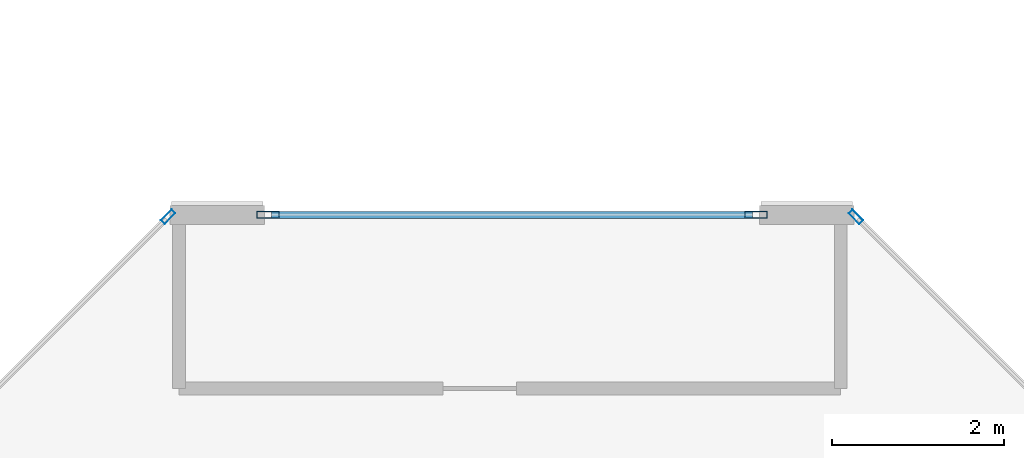
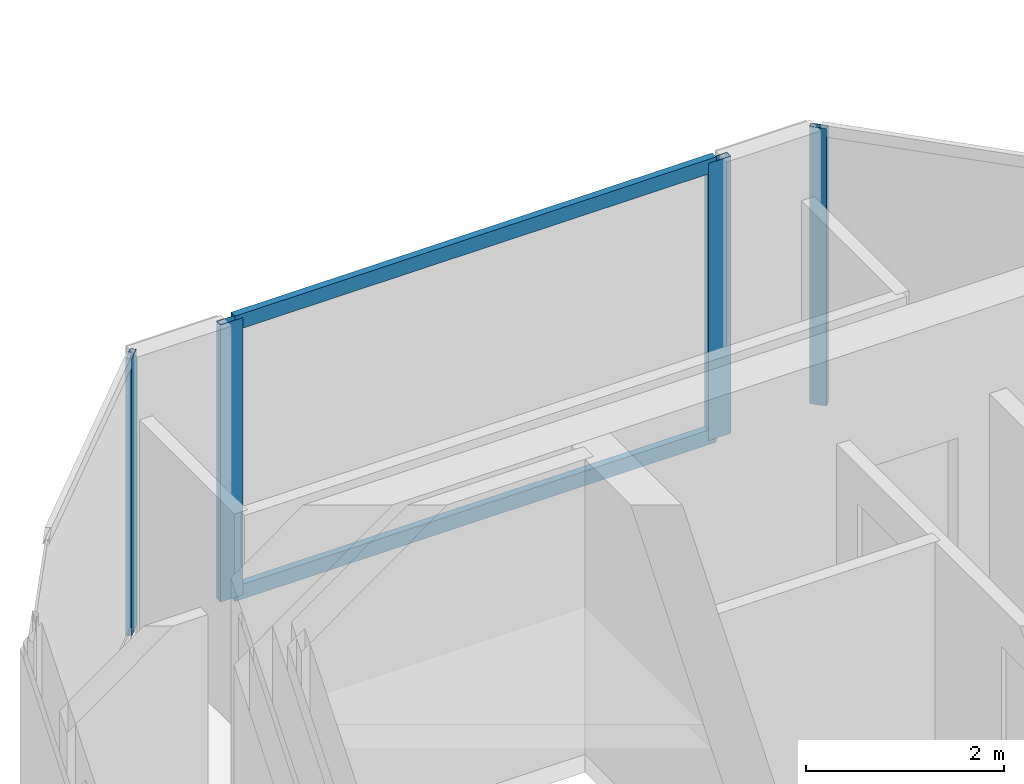
# One storey, part 12 of 28: 6 members, 3 elements without a shape of their own.
"""IFC4 building model written with IfcOpenShell, lengths in metres."""

from ifc_helpers import new_model, si_unit, direction, frame, origin, origin_2d, place, context, subcontext, project, spatial, hollow_rectangle, extrude, material, layer, layer_set, material_profile, profile_set, type_object, element, aggregate, save


model = new_model("IFC4")

# Units and contexts
model_context = context("Model", 3, precision=1e-05, world=origin(), true_north=direction((0.0, 1.0)))
body_context = subcontext(model_context, "Body", "Model", "MODEL_VIEW")
ifc_project = project(units=[si_unit("LENGTHUNIT", "METRE"), si_unit("AREAUNIT", "SQUARE_METRE"), si_unit("VOLUMEUNIT", "CUBIC_METRE"), si_unit("PLANEANGLEUNIT", "RADIAN"), si_unit("MASSUNIT", "GRAM", prefix="KILO")], contexts=[model_context])

# Site, building, storey
site_placement = place(None, origin())
site = spatial("IfcSite", under=ifc_project, at=site_placement, CompositionType="ELEMENT")
building_placement = place(site_placement, origin())
building = spatial("IfcBuilding", under=site, at=building_placement, Name="Tanjung Sevakor Pilgrim Tower", CompositionType="ELEMENT")
storey_placement = place(building_placement, frame((0.0, 0.0, 246.179931640625)))
storey = spatial("IfcBuildingStorey", under=building, at=storey_placement, Name="L69", CompositionType="ELEMENT", Elevation=246.179931640625)

# Curtain wall, member
ifc_material_1 = material(Name="Aluminium 6063-T6 and Low-E Glass", Category="aluminium")
ifc_layer_1 = layer(ifc_material_1, 0.179931640625)
ifc_layer_set_1 = layer_set([ifc_layer_1], Name="CW-SYS-CHAM")
curtain_wall_type_1 = type_object("IfcCurtainWallType", Name="CW-SYS-CHAM", PredefinedType="NOTDEFINED", material=ifc_layer_set_1)
curtain_wall_1_placement = place(storey_placement, origin())
curtain_wall_1 = element("IfcCurtainWall", 1, at=curtain_wall_1_placement, inside=storey, type_object=curtain_wall_type_1, Name="L69 Curtain Wall CW-CHM-L69-WEST-3", PredefinedType="NOTDEFINED")
ifc_material_2 = material(Name="Aluminium 6063-T6", Category="aluminium")
ifc_material_profile_1 = material_profile(ifc_material_2, hollow_rectangle(XDim=0.06494140625, YDim=0.179931640625, WallThickness=0.00390625, at=origin_2d()))
ifc_profile_set_1 = profile_set([ifc_material_profile_1], Name="Aluminium 6063-T6")
member_type_1 = type_object("IfcMemberType", Name="TYPE-CWM-1", PredefinedType="MULLION", material=ifc_profile_set_1)
member_1_placement = place(storey_placement, frame((32.827392578125, 46.26708984375, 0.0), z_axis=(0.0, 0.0, 1.0), x_axis=(-0.707106781187, -0.707106781187, 0.0)))
member_1 = element("IfcMember", 2, at=member_1_placement, type_object=member_type_1, Name="CW-CHM mullion 2", PredefinedType="MULLION", context=body_context, shape_type="SweptSolid", body=[
    extrude(hollow_rectangle(XDim=0.06494140625, YDim=0.179931640625, WallThickness=0.00390625, at=origin_2d()), origin(), (0.0, 0.0, 1.0), 3.41015625),
])
aggregate(curtain_wall_1, [member_1])

curtain_wall_2_placement = place(storey_placement, origin())
curtain_wall_2 = element("IfcCurtainWall", 3, at=curtain_wall_2_placement, inside=storey, type_object=curtain_wall_type_1, Name="L69 Curtain Wall CW-CHM-L69-WEST-5", PredefinedType="NOTDEFINED")
member_2_placement = place(storey_placement, frame((24.822509765625, 46.26708984375, 0.0), z_axis=(0.0, 0.0, 1.0), x_axis=(0.707106781187, -0.707106781187, 0.0)))
member_2 = element("IfcMember", 4, at=member_2_placement, type_object=member_type_1, Name="CW-CHM mullion 1", PredefinedType="MULLION", context=body_context, shape_type="SweptSolid", body=[
    extrude(hollow_rectangle(XDim=0.06494140625, YDim=0.179931640625, WallThickness=0.00390625, at=origin_2d()), origin(), (0.0, 0.0, 1.0), 3.41015625),
])
aggregate(curtain_wall_2, [member_2])

# Curtain wall, members
ifc_material_3 = material(Name="Aluminium 6063-T6 and Low-E Glass", Category="aluminium")
ifc_layer_2 = layer(ifc_material_3, 0.199951171875)
ifc_layer_set_2 = layer_set([ifc_layer_2], Name="CW-SYS-CRNW")
curtain_wall_type_2 = type_object("IfcCurtainWallType", Name="CW-SYS-CRNW", PredefinedType="NOTDEFINED", material=ifc_layer_set_2)
curtain_wall_3_placement = place(storey_placement, origin())
curtain_wall_3 = element("IfcCurtainWall", 5, at=curtain_wall_3_placement, inside=storey, type_object=curtain_wall_type_2, Name="L69 Curtain Wall CW-CRN-L69-WEST-4-1", PredefinedType="NOTDEFINED")
ifc_material_4 = material(Name="Aluminium 6063-T6", Category="aluminium")
ifc_material_profile_2 = material_profile(ifc_material_4, hollow_rectangle(XDim=0.080078125, YDim=0.260009765625, WallThickness=0.0048828125, at=origin_2d()))
ifc_profile_set_2 = profile_set([ifc_material_profile_2], Name="Aluminium 6063-T6")
member_type_2 = type_object("IfcMemberType", Name="TYPE-CWM-3", PredefinedType="MULLION", material=ifc_profile_set_2)
member_3_placement = place(storey_placement, frame((31.664306640625, 46.2900390625, 0.0), z_axis=(0.0, 0.0, 1.0), x_axis=(0.0, -1.0, 0.0)))
member_3 = element("IfcMember", 6, at=member_3_placement, type_object=member_type_2, Name="CW-CRW mullion 1", PredefinedType="MULLION", context=body_context, shape_type="SweptSolid", body=[
    extrude(hollow_rectangle(XDim=0.080078125, YDim=0.260009765625, WallThickness=0.0048828125, at=origin_2d()), origin(), (0.0, 0.0, 1.0), 3.41015625),
])
member_4_placement = place(storey_placement, frame((25.985595703125, 46.2900390625, 0.0), z_axis=(0.0, 0.0, 1.0), x_axis=(0.0, -1.0, 0.0)))
member_4 = element("IfcMember", 7, at=member_4_placement, type_object=member_type_2, Name="CW-CRW mullion 2", PredefinedType="MULLION", context=body_context, shape_type="SweptSolid", body=[
    extrude(hollow_rectangle(XDim=0.080078125, YDim=0.260009765625, WallThickness=0.0048828125, at=origin_2d()), origin(), (0.0, 0.0, 1.0), 3.41015625),
])
ifc_material_5 = material(Name="Aluminium 6063-T6", Category="aluminium")
ifc_material_profile_3 = material_profile(ifc_material_5, hollow_rectangle(XDim=0.080078125, YDim=0.179931640625, WallThickness=0.0048828125, at=origin_2d()))
ifc_profile_set_3 = profile_set([ifc_material_profile_3], Name="Aluminium 6063-T6")
member_type_3 = type_object("IfcMemberType", Name="TYPE-CWT-3", PredefinedType="USERDEFINED", material=ifc_profile_set_3)
member_5_placement = place(storey_placement, frame((31.62451171875, 46.2900390625, 0.0400390625), z_axis=(-1.0, 0.0, 0.0), x_axis=(0.0, -1.0, 0.0)))
member_5 = element("IfcMember", 8, at=member_5_placement, type_object=member_type_3, Name="CW-CRW transom 1.1", ObjectType="TRANSOM", PredefinedType="USERDEFINED", context=body_context, shape_type="SweptSolid", body=[
    extrude(hollow_rectangle(XDim=0.080078125, YDim=0.179931640625, WallThickness=0.0048828125, at=origin_2d()), origin(), (0.0, 0.0, 1.0), 5.598876953125),
])
member_6_placement = place(storey_placement, frame((31.62451171875, 46.2900390625, 3.3701171875), z_axis=(-1.0, 0.0, 0.0), x_axis=(0.0, -1.0, 0.0)))
member_6 = element("IfcMember", 9, at=member_6_placement, type_object=member_type_3, Name="CW-CRW transom 1.2", ObjectType="TRANSOM", PredefinedType="USERDEFINED", context=body_context, shape_type="SweptSolid", body=[
    extrude(hollow_rectangle(XDim=0.080078125, YDim=0.179931640625, WallThickness=0.0048828125, at=origin_2d()), origin(), (0.0, 0.0, 1.0), 5.598876953125),
])
aggregate(curtain_wall_3, [member_3, member_4, member_5, member_6])

save(model, "model.ifc")
